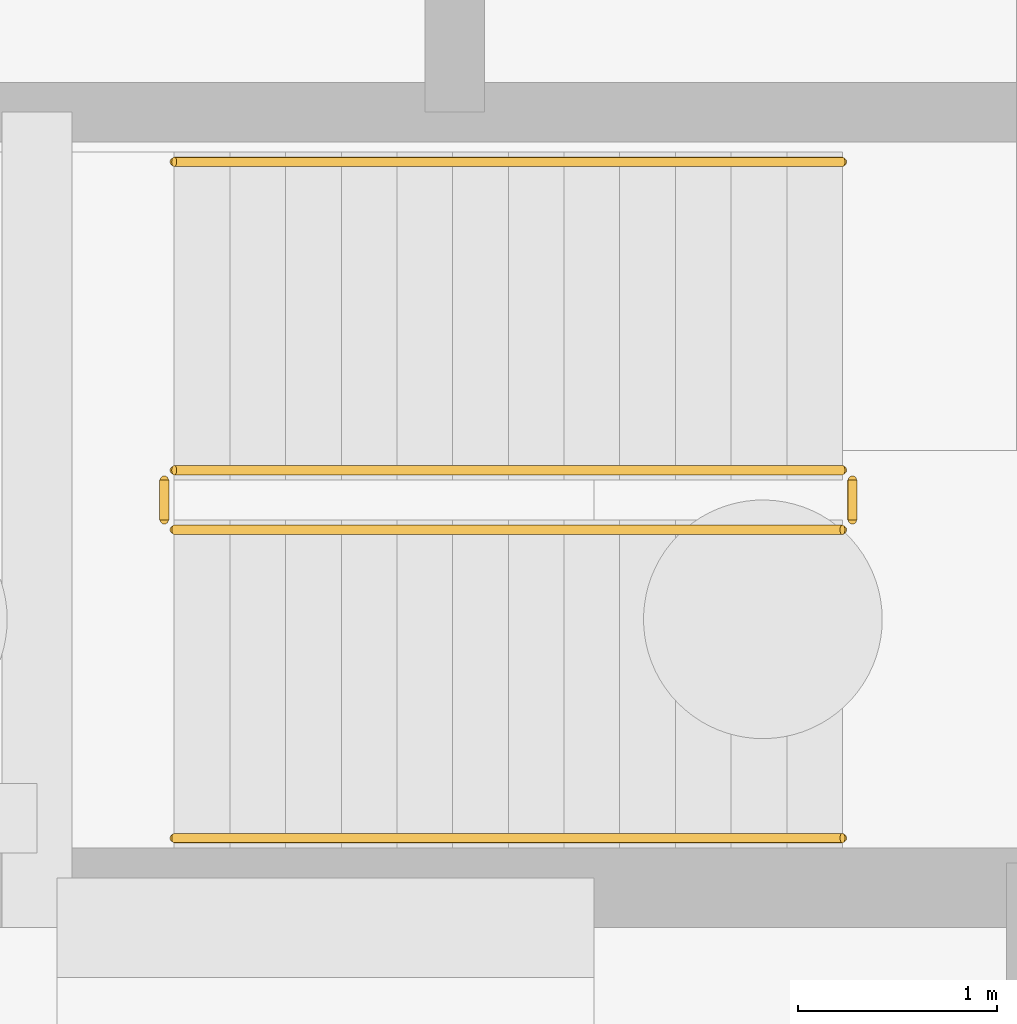
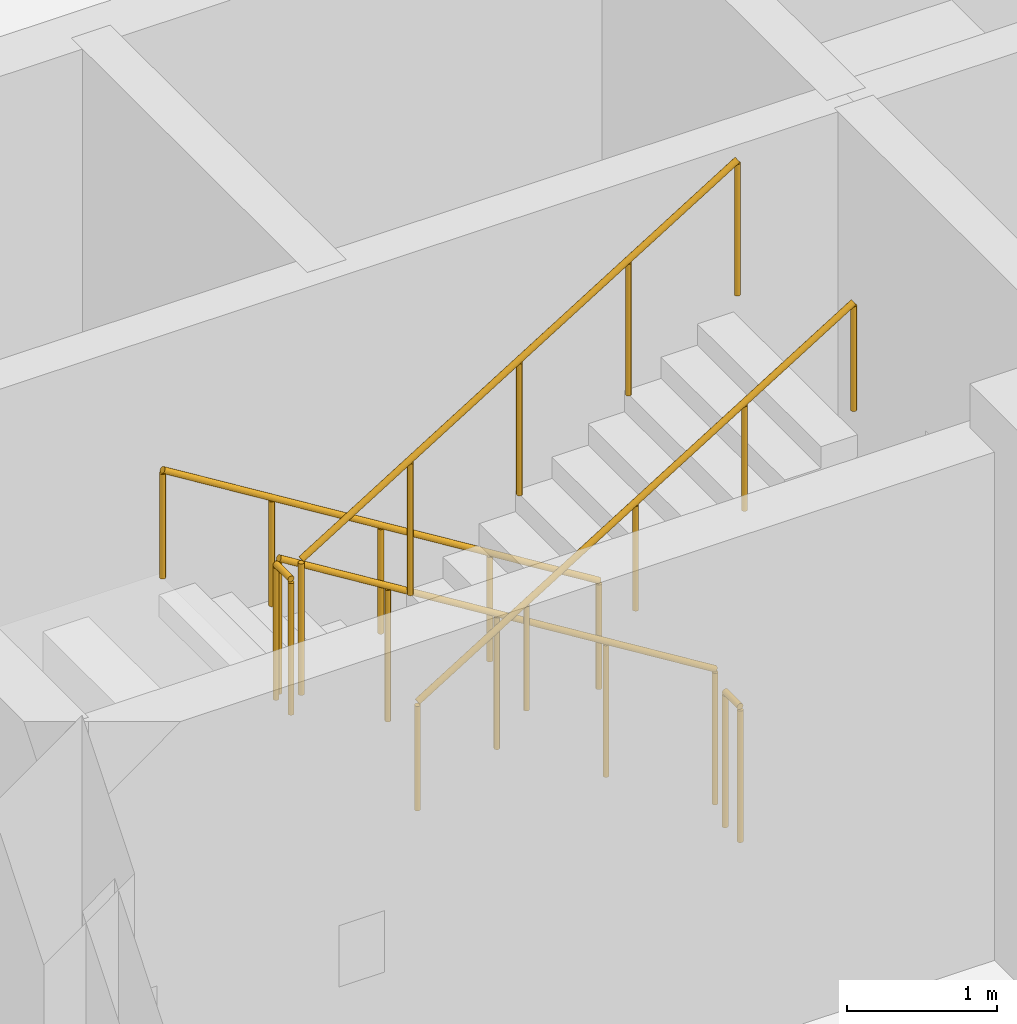
# One storey, part 41 of 42: 6 railings.
"""IFC4 building model written with IfcOpenShell, lengths in metres."""

from ifc_helpers import new_model, si_unit, direction, frame, origin, origin_2d, place, context, subcontext, project, spatial, circle, extrude, material, type_object, element, save


model = new_model("IFC4")

# Units and contexts
model_context = context("Model", 3, precision=1e-05, world=origin(), true_north=direction((0.0, 1.0)))
body_context = subcontext(model_context, "Body", "Model", "MODEL_VIEW")
ifc_project = project(units=[si_unit("LENGTHUNIT", "METRE"), si_unit("AREAUNIT", "SQUARE_METRE"), si_unit("VOLUMEUNIT", "CUBIC_METRE"), si_unit("PLANEANGLEUNIT", "RADIAN"), si_unit("MASSUNIT", "GRAM", prefix="KILO")], contexts=[model_context])

# Site, building, storey
site_placement = place(None, origin())
site = spatial("IfcSite", under=ifc_project, at=site_placement, CompositionType="ELEMENT")
building_placement = place(site_placement, origin())
building = spatial("IfcBuilding", under=site, at=building_placement, Name="Dalvernix Boulevard General Hospital", CompositionType="ELEMENT")
storey_placement = place(building_placement, frame((0.0, 0.0, -4.5)))
storey = spatial("IfcBuildingStorey", under=building, at=storey_placement, Name="B1", CompositionType="ELEMENT", Elevation=-4.5)

# Railings
ifc_material_1 = material(Name="Brushed stainless steel balustrade", Category="steel")
railing_type_1 = type_object("IfcRailingType", Name="RL-GR-INT1", PredefinedType="BALUSTRADE", material=ifc_material_1)
railing_1_placement = place(storey_placement, frame((163.85009765625, 41.300048828125, 0.173095703125)))
element("IfcRailing", 1, at=railing_1_placement, inside=storey, type_object=railing_type_1, Name="B1 ST-06 stair guard 1", PredefinedType="BALUSTRADE", context=body_context, shape_type="SweptSolid", body=[
    extrude(circle(Radius=0.02392578125, at=origin_2d()), frame((0.0, 0.0, 1.09619140625), z_axis=(-0.850623216509, 0.0, 0.525775754039), x_axis=(0.0, -1.0, 0.0)), (0.0, 0.0, 1.0), 3.9501953125),
    extrude(circle(Radius=0.02099609375, at=origin_2d()), origin(), (0.0, 0.0, 1.0), 1.072021484375),
    extrude(circle(Radius=0.02099609375, at=origin_2d()), frame((-0.840087890625, 0.0, 0.519287109375)), (0.0, 0.0, 1.0), 1.072021484375),
    extrude(circle(Radius=0.02099609375, at=origin_2d()), frame((-1.68017578125, 0.0, 1.03857421875)), (0.0, 0.0, 1.0), 1.072021484375),
    extrude(circle(Radius=0.02099609375, at=origin_2d()), frame((-2.52001953125, 0.0, 1.5576171875)), (0.0, 0.0, 1.0), 1.072021484375),
    extrude(circle(Radius=0.02099609375, at=origin_2d()), frame((-3.360107421875, 0.0, 2.076904296875)), (0.0, 0.0, 1.0), 1.072021484375),
])
railing_2_placement = place(storey_placement, frame((160.43994140625, 41.25, 2.25)))
element("IfcRailing", 2, at=railing_2_placement, inside=storey, type_object=railing_type_1, Name="B1 ST-06 stair guard 2", PredefinedType="BALUSTRADE", context=body_context, shape_type="SweptSolid", body=[
    extrude(circle(Radius=0.02392578125, at=origin_2d()), frame((0.0, 0.0, 1.09619140625), z_axis=(0.0, -1.0, 0.0), x_axis=(1.0, 0.0, 0.0)), (0.0, 0.0, 1.0), 0.199951171875),
    extrude(circle(Radius=0.02099609375, at=origin_2d()), origin(), (0.0, 0.0, 1.0), 1.072021484375),
    extrude(circle(Radius=0.02099609375, at=origin_2d()), frame((0.0, -0.199951171875, 0.0)), (0.0, 0.0, 1.0), 1.072021484375),
])
railing_3_placement = place(storey_placement, frame((160.489990234375, 41.0, 2.423095703125)))
element("IfcRailing", 3, at=railing_3_placement, inside=storey, type_object=railing_type_1, Name="B1 ST-06 stair guard 3", PredefinedType="BALUSTRADE", context=body_context, shape_type="SweptSolid", body=[
    extrude(circle(Radius=0.02392578125, at=origin_2d()), frame((0.0, 0.0, 1.09619140625), z_axis=(0.850623216509, 0.0, 0.525775754039), x_axis=(0.0, 1.0, 0.0)), (0.0, 0.0, 1.0), 3.9501953125),
    extrude(circle(Radius=0.02099609375, at=origin_2d()), origin(), (0.0, 0.0, 1.0), 1.072021484375),
    extrude(circle(Radius=0.02099609375, at=origin_2d()), frame((0.840087890625, 0.0, 0.519287109375)), (0.0, 0.0, 1.0), 1.072021484375),
    extrude(circle(Radius=0.02099609375, at=origin_2d()), frame((1.68017578125, 0.0, 1.03857421875)), (0.0, 0.0, 1.0), 1.072021484375),
    extrude(circle(Radius=0.02099609375, at=origin_2d()), frame((2.52001953125, 0.0, 1.5576171875)), (0.0, 0.0, 1.0), 1.072021484375),
    extrude(circle(Radius=0.02099609375, at=origin_2d()), frame((3.360107421875, 0.0, 2.076904296875)), (0.0, 0.0, 1.0), 1.072021484375),
])
railing_4_placement = place(storey_placement, frame((163.89990234375, 41.25, 0.0)))
element("IfcRailing", 4, at=railing_4_placement, inside=storey, type_object=railing_type_1, Name="B1 ST-06 stair guard 4", PredefinedType="BALUSTRADE", context=body_context, shape_type="SweptSolid", body=[
    extrude(circle(Radius=0.02392578125, at=origin_2d()), frame((0.0, 0.0, 1.09619140625), z_axis=(0.0, -1.0, 0.0), x_axis=(1.0, 0.0, 0.0)), (0.0, 0.0, 1.0), 0.199951171875),
    extrude(circle(Radius=0.02099609375, at=origin_2d()), origin(), (0.0, 0.0, 1.0), 1.072021484375),
    extrude(circle(Radius=0.02099609375, at=origin_2d()), frame((0.0, -0.199951171875, 0.0)), (0.0, 0.0, 1.0), 1.072021484375),
])
ifc_material_2 = material(Name="Brushed stainless steel wall handrail", Category="steel")
railing_type_2 = type_object("IfcRailingType", Name="RL-HR-INT1", PredefinedType="HANDRAIL", material=ifc_material_2)
railing_5_placement = place(storey_placement, frame((163.85009765625, 42.85009765625, 0.173095703125)))
element("IfcRailing", 5, at=railing_5_placement, inside=storey, type_object=railing_type_2, Name="B1 ST-06 stair handrail 1", PredefinedType="HANDRAIL", context=body_context, shape_type="SweptSolid", body=[
    extrude(circle(Radius=0.02392578125, at=origin_2d()), frame((0.0, 0.0, 0.8759765625), z_axis=(-0.850623216509, 0.0, 0.525775754039), x_axis=(0.0, -1.0, 0.0)), (0.0, 0.0, 1.0), 3.9501953125),
    extrude(circle(Radius=0.02099609375, at=origin_2d()), origin(), (0.0, 0.0, 1.0), 0.851806640625),
    extrude(circle(Radius=0.02099609375, at=origin_2d()), frame((-0.840087890625, 0.0, 0.519287109375)), (0.0, 0.0, 1.0), 0.851806640625),
    extrude(circle(Radius=0.02099609375, at=origin_2d()), frame((-1.68017578125, 0.0, 1.03857421875)), (0.0, 0.0, 1.0), 0.851806640625),
    extrude(circle(Radius=0.02099609375, at=origin_2d()), frame((-2.52001953125, 0.0, 1.5576171875)), (0.0, 0.0, 1.0), 0.851806640625),
    extrude(circle(Radius=0.02099609375, at=origin_2d()), frame((-3.360107421875, 0.0, 2.076904296875)), (0.0, 0.0, 1.0), 0.851806640625),
])
railing_6_placement = place(storey_placement, frame((160.489990234375, 39.449951171875, 2.423095703125)))
element("IfcRailing", 6, at=railing_6_placement, inside=storey, type_object=railing_type_2, Name="B1 ST-06 stair handrail 2", PredefinedType="HANDRAIL", context=body_context, shape_type="SweptSolid", body=[
    extrude(circle(Radius=0.02392578125, at=origin_2d()), frame((0.0, 0.0, 0.8759765625), z_axis=(0.850623216509, 0.0, 0.525775754039), x_axis=(0.0, 1.0, 0.0)), (0.0, 0.0, 1.0), 3.9501953125),
    extrude(circle(Radius=0.02099609375, at=origin_2d()), origin(), (0.0, 0.0, 1.0), 0.851806640625),
    extrude(circle(Radius=0.02099609375, at=origin_2d()), frame((0.840087890625, 0.0, 0.519287109375)), (0.0, 0.0, 1.0), 0.851806640625),
    extrude(circle(Radius=0.02099609375, at=origin_2d()), frame((1.68017578125, 0.0, 1.03857421875)), (0.0, 0.0, 1.0), 0.851806640625),
    extrude(circle(Radius=0.02099609375, at=origin_2d()), frame((2.52001953125, 0.0, 1.5576171875)), (0.0, 0.0, 1.0), 0.851806640625),
    extrude(circle(Radius=0.02099609375, at=origin_2d()), frame((3.360107421875, 0.0, 2.076904296875)), (0.0, 0.0, 1.0), 0.851806640625),
])

save(model, "model.ifc")
